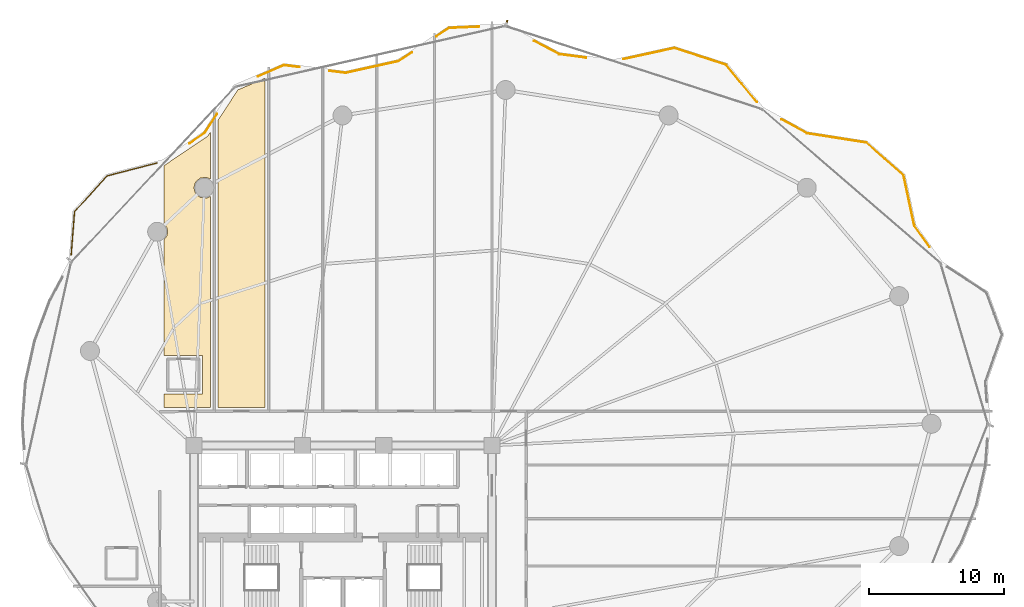
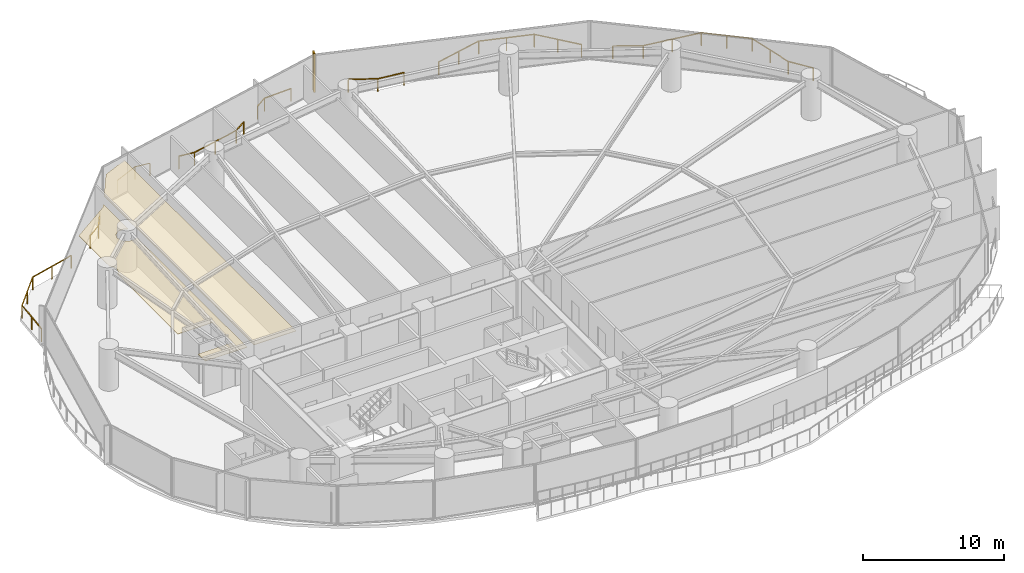
# One storey, part 32 of 33: 8 railings, 2 coverings, 1 shading device.
"""IFC4 building model written with IfcOpenShell, lengths in metres."""

from ifc_helpers import new_model, si_unit, direction, frame, origin, origin_2d, place, context, subcontext, project, spatial, polyline, rectangle, outline, extrude, material, layer, layer_set, type_object, element, save


model = new_model("IFC4")

# Units and contexts
model_context = context("Model", 3, precision=1e-05, world=origin(), true_north=direction((0.0, 1.0)))
body_context = subcontext(model_context, "Body", "Model", "MODEL_VIEW")
ifc_project = project(units=[si_unit("LENGTHUNIT", "METRE"), si_unit("AREAUNIT", "SQUARE_METRE"), si_unit("VOLUMEUNIT", "CUBIC_METRE"), si_unit("PLANEANGLEUNIT", "RADIAN"), si_unit("MASSUNIT", "GRAM", prefix="KILO")], contexts=[model_context])

# Site, building, storey
site_placement = place(None, origin())
site = spatial("IfcSite", under=ifc_project, at=site_placement, CompositionType="ELEMENT")
building_placement = place(site_placement, origin())
building = spatial("IfcBuilding", under=site, at=building_placement, Name="Kazevale Care Tower and Concert Hall", CompositionType="ELEMENT")
storey_placement = place(building_placement, frame((0.0, 0.0, 31.199951171875)))
storey = spatial("IfcBuildingStorey", under=building, at=storey_placement, Name="L07", CompositionType="ELEMENT", Elevation=31.199951171875)

# Coverings
ifc_material_1 = material(Name="Acoustic Plaster and Hinoki Wood", Category="wood")
ifc_layer = layer(ifc_material_1, 0.0400390625)
ifc_layer_set = layer_set([ifc_layer], Name="Acoustic Plaster and Hinoki Wood")
covering_type = type_object("IfcCoveringType", Name="Acoustic Perforated Wood-Gypsum Ceiling", PredefinedType="CEILING", material=ifc_layer_set)
covering_1_placement = place(storey_placement, frame((0.0, 0.0, 2.7099609375)))
element("IfcCovering", 1, at=covering_1_placement, inside=storey, type_object=covering_type, Name="clg:L07:1", PredefinedType="CEILING", context=body_context, shape_type="SweptSolid", body=[
    extrude(outline(polyline([(22.6298828125, 43.054931640625), (19.780029296875, 43.054931640625), (19.780029296875, 51.593994140625), (19.990966796875, 51.882080078125), (20.050048828125, 52.179931640625), (19.990966796875, 52.47802734375), (19.780029296875, 52.76611328125), (19.780029296875, 57.06494140625), (23.014892578125, 59.2509765625), (23.219970703125, 59.56689453125), (23.219970703125, 56.056884765625), (22.912109375, 56.195068359375), (22.4619140625, 56.15087890625), (22.111083984375, 55.863037109375), (21.97998046875, 55.429931640625), (22.111083984375, 54.9970703125), (22.4619140625, 54.708984375), (22.912109375, 54.6650390625), (23.219970703125, 54.802978515625), (23.219970703125, 39.205078125), (19.780029296875, 39.205078125), (19.780029296875, 40.195068359375), (22.6298828125, 40.195068359375), (22.6298828125, 43.054931640625)])), origin(), (0.0, 0.0, 1.0), 0.0400390625),
])
covering_2_placement = place(storey_placement, frame((0.0, 0.0, 2.7099609375)))
element("IfcCovering", 2, at=covering_2_placement, inside=storey, type_object=covering_type, Name="clg:L07:2", PredefinedType="CEILING", context=body_context, shape_type="SweptSolid", body=[
    extrude(outline(polyline([(27.219970703125, 39.205078125), (23.780029296875, 39.205078125), (23.780029296875, 60.427978515625), (25.22607421875, 62.654052734375), (27.219970703125, 63.51611328125), (27.219970703125, 39.205078125)])), origin(), (0.0, 0.0, 1.0), 0.0400390625),
])

# Railings
ifc_material_2 = material(Name="Anodised Bronze Aluminium and Laminated Glass", Category="aluminium")
railing_type = type_object("IfcRailingType", Name="Balcony and Terrace Balustrade 1120", PredefinedType="BALUSTRADE", material=ifc_material_2)
railing_1_placement = place(storey_placement, frame((12.925048828125, 50.48291015625, 0.0)))
element("IfcRailing", 3, at=railing_1_placement, inside=storey, type_object=railing_type, Name="rail:L07:perim:2", PredefinedType="BALUSTRADE", context=body_context, shape_type="SweptSolid", body=[
    extrude(rectangle(XDim=0.048095703125, YDim=0.048095703125, at=origin_2d()), frame((0.0, 0.0, 1.09619140625), z_axis=(0.077457363228, 0.996995665428, 0.0), x_axis=(-0.996995665428, 0.077457363228, 0.0)), (0.0, 0.0, 1.0), 3.189697265625),
    extrude(rectangle(XDim=0.048095703125, YDim=0.048095703125, at=origin_2d()), frame((0.2470703125, 3.18017578125, 1.09619140625), z_axis=(0.67167834736, 0.740842896766, 0.0), x_axis=(-0.740842896766, 0.67167834736, 0.0)), (0.0, 0.0, 1.0), 3.55810546875),
    extrude(rectangle(XDim=0.048095703125, YDim=0.048095703125, at=origin_2d()), frame((2.636962890625, 5.816162109375, 1.09619140625), z_axis=(0.967833691326, 0.251590830384, 0.0), x_axis=(-0.251590830384, 0.967833691326, 0.0)), (0.0, 0.0, 1.0), 3.8271484375),
    extrude(rectangle(XDim=0.0419921875, YDim=0.0419921875, at=origin_2d()), origin(), (0.0, 0.0, 1.0), 1.072021484375),
    extrude(rectangle(XDim=0.0419921875, YDim=0.0419921875, at=origin_2d()), frame((0.12353515625, 1.590087890625, 0.0)), (0.0, 0.0, 1.0), 1.072021484375),
    extrude(rectangle(XDim=0.0419921875, YDim=0.0419921875, at=origin_2d()), frame((0.2470703125, 3.18017578125, 0.0)), (0.0, 0.0, 1.0), 1.072021484375),
    extrude(rectangle(XDim=0.0419921875, YDim=0.0419921875, at=origin_2d()), frame((1.44189453125, 4.498046875, 0.0)), (0.0, 0.0, 1.0), 1.072021484375),
    extrude(rectangle(XDim=0.0419921875, YDim=0.0419921875, at=origin_2d()), frame((2.636962890625, 5.816162109375, 0.0)), (0.0, 0.0, 1.0), 1.072021484375),
    extrude(rectangle(XDim=0.0419921875, YDim=0.0419921875, at=origin_2d()), frame((4.489013671875, 6.297607421875, 0.0)), (0.0, 0.0, 1.0), 1.072021484375),
    extrude(rectangle(XDim=0.0419921875, YDim=0.0419921875, at=origin_2d()), frame((6.341064453125, 6.779052734375, 0.0)), (0.0, 0.0, 1.0), 1.072021484375),
])
railing_2_placement = place(storey_placement, frame((21.65087890625, 58.699951171875, 0.0)))
element("IfcRailing", 4, at=railing_2_placement, inside=storey, type_object=railing_type, Name="rail:L07:perim:3", PredefinedType="BALUSTRADE", context=body_context, shape_type="SweptSolid", body=[
    extrude(rectangle(XDim=0.048095703125, YDim=0.048095703125, at=origin_2d()), frame((0.0, 0.0, 1.09619140625), z_axis=(0.823330292932, 0.56756253289, 0.0), x_axis=(-0.56756253289, 0.823330292932, 0.0)), (0.0, 0.0, 1.0), 1.37255859375),
    extrude(rectangle(XDim=0.048095703125, YDim=0.048095703125, at=origin_2d()), frame((1.130126953125, 0.779052734375, 1.09619140625), z_axis=(0.545340812874, 0.838214410407, 0.0), x_axis=(-0.838214410407, 0.545340812874, 0.0)), (0.0, 0.0, 1.0), 1.6796875),
    extrude(rectangle(XDim=0.0419921875, YDim=0.0419921875, at=origin_2d()), origin(), (0.0, 0.0, 1.0), 1.072021484375),
    extrude(rectangle(XDim=0.0419921875, YDim=0.0419921875, at=origin_2d()), frame((1.130126953125, 0.779052734375, 0.0)), (0.0, 0.0, 1.0), 1.072021484375),
    extrude(rectangle(XDim=0.0419921875, YDim=0.0419921875, at=origin_2d()), frame((2.046142578125, 2.18701171875, 0.0)), (0.0, 0.0, 1.0), 1.072021484375),
])
railing_3_placement = place(storey_placement, frame((26.70703125, 63.64306640625, 0.0)))
element("IfcRailing", 5, at=railing_3_placement, inside=storey, type_object=railing_type, Name="rail:L07:perim:4", PredefinedType="BALUSTRADE", context=body_context, shape_type="SweptSolid", body=[
    extrude(rectangle(XDim=0.048095703125, YDim=0.048095703125, at=origin_2d()), frame((0.0, 0.0, 1.09619140625), z_axis=(0.917761192616, 0.397132715007, 0.0), x_axis=(-0.397132715007, 0.917761192616, 0.0)), (0.0, 0.0, 1.0), 2.107421875),
    extrude(rectangle(XDim=0.048095703125, YDim=0.048095703125, at=origin_2d()), frame((1.93408203125, 0.8369140625, 1.09619140625), z_axis=(0.992136908777, -0.125157317977, 0.0), x_axis=(0.125157317977, 0.992136908777, 0.0)), (0.0, 0.0, 1.0), 1.15087890625),
    extrude(rectangle(XDim=0.0419921875, YDim=0.0419921875, at=origin_2d()), origin(), (0.0, 0.0, 1.0), 1.072021484375),
    extrude(rectangle(XDim=0.0419921875, YDim=0.0419921875, at=origin_2d()), frame((1.93408203125, 0.8369140625, 0.0)), (0.0, 0.0, 1.0), 1.072021484375),
    extrude(rectangle(XDim=0.0419921875, YDim=0.0419921875, at=origin_2d()), frame((3.075927734375, 0.69287109375, 0.0)), (0.0, 0.0, 1.0), 1.072021484375),
])
railing_4_placement = place(storey_placement, frame((32.001953125, 64.05810546875, 0.0)))
element("IfcRailing", 6, at=railing_4_placement, inside=storey, type_object=railing_type, Name="rail:L07:perim:5", PredefinedType="BALUSTRADE", context=body_context, shape_type="SweptSolid", body=[
    extrude(rectangle(XDim=0.048095703125, YDim=0.048095703125, at=origin_2d()), frame((0.0, 0.0, 1.09619140625), z_axis=(0.992119329578, -0.125296591644, 0.0), x_axis=(0.125296591644, 0.992119329578, 0.0)), (0.0, 0.0, 1.0), 1.1904296875),
    extrude(rectangle(XDim=0.048095703125, YDim=0.048095703125, at=origin_2d()), frame((1.18115234375, -0.149169921875, 1.09619140625), z_axis=(0.976178445537, 0.216969220097, 0.0), x_axis=(-0.216969220097, 0.976178445537, 0.0)), (0.0, 0.0, 1.0), 4.001220703125),
    extrude(rectangle(XDim=0.048095703125, YDim=0.048095703125, at=origin_2d()), frame((5.087158203125, 0.718994140625, 1.09619140625), z_axis=(0.835832367502, 0.548984747908, 0.0), x_axis=(-0.548984747908, 0.835832367502, 0.0)), (0.0, 0.0, 1.0), 1.185546875),
    extrude(rectangle(XDim=0.0419921875, YDim=0.0419921875, at=origin_2d()), origin(), (0.0, 0.0, 1.0), 1.072021484375),
    extrude(rectangle(XDim=0.0419921875, YDim=0.0419921875, at=origin_2d()), frame((1.18115234375, -0.149169921875, 0.0)), (0.0, 0.0, 1.0), 1.072021484375),
    extrude(rectangle(XDim=0.0419921875, YDim=0.0419921875, at=origin_2d()), frame((3.13427734375, 0.284912109375, 0.0)), (0.0, 0.0, 1.0), 1.072021484375),
    extrude(rectangle(XDim=0.0419921875, YDim=0.0419921875, at=origin_2d()), frame((5.087158203125, 0.718994140625, 0.0)), (0.0, 0.0, 1.0), 1.072021484375),
    extrude(rectangle(XDim=0.0419921875, YDim=0.0419921875, at=origin_2d()), frame((6.078125, 1.369873046875, 0.0)), (0.0, 0.0, 1.0), 1.072021484375),
])
railing_5_placement = place(storey_placement, frame((39.885986328125, 66.614013671875, 0.0)))
element("IfcRailing", 7, at=railing_5_placement, inside=storey, type_object=railing_type, Name="rail:L07:perim:6", PredefinedType="BALUSTRADE", context=body_context, shape_type="SweptSolid", body=[
    extrude(rectangle(XDim=0.048095703125, YDim=0.048095703125, at=origin_2d()), frame((0.0, 0.0, 1.09619140625), z_axis=(0.835903517622, 0.548876406149, 0.0), x_axis=(-0.548876406149, 0.835903517622, 0.0)), (0.0, 0.0, 1.0), 1.115234375),
    extrude(rectangle(XDim=0.048095703125, YDim=0.048095703125, at=origin_2d()), frame((0.93212890625, 0.612060546875, 1.09619140625), z_axis=(0.999043859493, 0.043719181241, 0.0), x_axis=(-0.043719181241, 0.999043859493, 0.0)), (0.0, 0.0, 1.0), 2.217041015625),
    extrude(rectangle(XDim=0.0419921875, YDim=0.0419921875, at=origin_2d()), origin(), (0.0, 0.0, 1.0), 1.072021484375),
    extrude(rectangle(XDim=0.0419921875, YDim=0.0419921875, at=origin_2d()), frame((0.93212890625, 0.612060546875, 0.0)), (0.0, 0.0, 1.0), 1.072021484375),
    extrude(rectangle(XDim=0.0419921875, YDim=0.0419921875, at=origin_2d()), frame((3.14697265625, 0.708984375, 0.0)), (0.0, 0.0, 1.0), 1.072021484375),
])
railing_6_placement = place(storey_placement, frame((47.115966796875, 66.27001953125, 0.0)))
element("IfcRailing", 8, at=railing_6_placement, inside=storey, type_object=railing_type, Name="rail:L07:perim:7", PredefinedType="BALUSTRADE", context=body_context, shape_type="SweptSolid", body=[
    extrude(rectangle(XDim=0.048095703125, YDim=0.048095703125, at=origin_2d()), frame((0.0, 0.0, 1.09619140625), z_axis=(0.883776562896, -0.467909165198, 0.0), x_axis=(0.467909165198, 0.883776562896, 0.0)), (0.0, 0.0, 1.0), 2.09228515625),
    extrude(rectangle(XDim=0.048095703125, YDim=0.048095703125, at=origin_2d()), frame((1.84912109375, -0.97900390625, 1.09619140625), z_axis=(0.991534086176, -0.129846663223, 0.0), x_axis=(0.129846663223, 0.991534086176, 0.0)), (0.0, 0.0, 1.0), 1.994873046875),
    extrude(rectangle(XDim=0.0419921875, YDim=0.0419921875, at=origin_2d()), origin(), (0.0, 0.0, 1.0), 1.072021484375),
    extrude(rectangle(XDim=0.0419921875, YDim=0.0419921875, at=origin_2d()), frame((1.84912109375, -0.97900390625, 0.0)), (0.0, 0.0, 1.0), 1.072021484375),
    extrude(rectangle(XDim=0.0419921875, YDim=0.0419921875, at=origin_2d()), frame((3.8271484375, -1.238037109375, 0.0)), (0.0, 0.0, 1.0), 1.072021484375),
])
railing_7_placement = place(storey_placement, frame((53.72509765625, 64.929931640625, 0.0)))
element("IfcRailing", 9, at=railing_7_placement, inside=storey, type_object=railing_type, Name="rail:L07:perim:8", PredefinedType="BALUSTRADE", context=body_context, shape_type="SweptSolid", body=[
    extrude(rectangle(XDim=0.048095703125, YDim=0.048095703125, at=origin_2d()), frame((0.0, 0.0, 1.09619140625), z_axis=(0.976904182087, 0.213677839331, 0.0), x_axis=(-0.213677839331, 0.976904182087, 0.0)), (0.0, 0.0, 1.0), 3.82421875),
    extrude(rectangle(XDim=0.048095703125, YDim=0.048095703125, at=origin_2d()), frame((3.73583984375, 0.817138671875, 1.09619140625), z_axis=(0.951224739484, -0.308498776326, 0.0), x_axis=(0.308498776326, 0.951224739484, 0.0)), (0.0, 0.0, 1.0), 4.032958984375),
    extrude(rectangle(XDim=0.048095703125, YDim=0.048095703125, at=origin_2d()), frame((7.572021484375, -0.427001953125, 1.09619140625), z_axis=(0.63401399695, -0.773321570675, 0.0), x_axis=(0.773321570675, 0.63401399695, 0.0)), (0.0, 0.0, 1.0), 3.56103515625),
    extrude(rectangle(XDim=0.0419921875, YDim=0.0419921875, at=origin_2d()), origin(), (0.0, 0.0, 1.0), 1.072021484375),
    extrude(rectangle(XDim=0.0419921875, YDim=0.0419921875, at=origin_2d()), frame((1.867919921875, 0.40869140625, 0.0)), (0.0, 0.0, 1.0), 1.072021484375),
    extrude(rectangle(XDim=0.0419921875, YDim=0.0419921875, at=origin_2d()), frame((3.73583984375, 0.817138671875, 0.0)), (0.0, 0.0, 1.0), 1.072021484375),
    extrude(rectangle(XDim=0.0419921875, YDim=0.0419921875, at=origin_2d()), frame((5.65380859375, 0.195068359375, 0.0)), (0.0, 0.0, 1.0), 1.072021484375),
    extrude(rectangle(XDim=0.0419921875, YDim=0.0419921875, at=origin_2d()), frame((7.572021484375, -0.427001953125, 0.0)), (0.0, 0.0, 1.0), 1.072021484375),
    extrude(rectangle(XDim=0.0419921875, YDim=0.0419921875, at=origin_2d()), frame((8.700927734375, -1.803955078125, 0.0)), (0.0, 0.0, 1.0), 1.072021484375),
    extrude(rectangle(XDim=0.0419921875, YDim=0.0419921875, at=origin_2d()), frame((9.829833984375, -3.180908203125, 0.0)), (0.0, 0.0, 1.0), 1.072021484375),
])
railing_8_placement = place(storey_placement, frame((65.375, 60.48291015625, 0.0)))
element("IfcRailing", 10, at=railing_8_placement, inside=storey, type_object=railing_type, Name="rail:L07:perim:9", PredefinedType="BALUSTRADE", context=body_context, shape_type="SweptSolid", body=[
    extrude(rectangle(XDim=0.048095703125, YDim=0.048095703125, at=origin_2d()), frame((0.0, 0.0, 1.09619140625), z_axis=(0.877408218259, -0.479744534656, 0.0), x_axis=(0.479744534656, 0.877408218259, 0.0)), (0.0, 0.0, 1.0), 2.165283203125),
    extrude(rectangle(XDim=0.048095703125, YDim=0.048095703125, at=origin_2d()), frame((1.89990234375, -1.038818359375, 1.09619140625), z_axis=(0.98800015678, -0.154452873728, 0.0), x_axis=(0.154452873728, 0.98800015678, 0.0)), (0.0, 0.0, 1.0), 4.41015625),
    extrude(rectangle(XDim=0.048095703125, YDim=0.048095703125, at=origin_2d()), frame((6.257080078125, -1.719970703125, 1.09619140625), z_axis=(0.752130585126, -0.65901409918, 0.0), x_axis=(0.65901409918, 0.752130585126, 0.0)), (0.0, 0.0, 1.0), 3.662841796875),
    extrude(rectangle(XDim=0.048095703125, YDim=0.048095703125, at=origin_2d()), frame((9.011962890625, -4.1337890625, 1.09619140625), z_axis=(0.208802033864, -0.977957928877, 0.0), x_axis=(0.977957928877, 0.208802033864, 0.0)), (0.0, 0.0, 1.0), 3.80712890625),
    extrude(rectangle(XDim=0.048095703125, YDim=0.048095703125, at=origin_2d()), frame((9.806884765625, -7.85693359375, 1.09619140625), z_axis=(0.582711263324, -0.812679262437, 0.0), x_axis=(0.812679262437, 0.582711263324, 0.0)), (0.0, 0.0, 1.0), 1.94287109375),
    extrude(rectangle(XDim=0.0419921875, YDim=0.0419921875, at=origin_2d()), origin(), (0.0, 0.0, 1.0), 1.072021484375),
    extrude(rectangle(XDim=0.0419921875, YDim=0.0419921875, at=origin_2d()), frame((1.89990234375, -1.038818359375, 0.0)), (0.0, 0.0, 1.0), 1.072021484375),
    extrude(rectangle(XDim=0.0419921875, YDim=0.0419921875, at=origin_2d()), frame((4.07861328125, -1.37939453125, 0.0)), (0.0, 0.0, 1.0), 1.072021484375),
    extrude(rectangle(XDim=0.0419921875, YDim=0.0419921875, at=origin_2d()), frame((6.257080078125, -1.719970703125, 0.0)), (0.0, 0.0, 1.0), 1.072021484375),
    extrude(rectangle(XDim=0.0419921875, YDim=0.0419921875, at=origin_2d()), frame((7.634521484375, -2.9267578125, 0.0)), (0.0, 0.0, 1.0), 1.072021484375),
    extrude(rectangle(XDim=0.0419921875, YDim=0.0419921875, at=origin_2d()), frame((9.011962890625, -4.1337890625, 0.0)), (0.0, 0.0, 1.0), 1.072021484375),
    extrude(rectangle(XDim=0.0419921875, YDim=0.0419921875, at=origin_2d()), frame((9.409423828125, -5.995361328125, 0.0)), (0.0, 0.0, 1.0), 1.072021484375),
    extrude(rectangle(XDim=0.0419921875, YDim=0.0419921875, at=origin_2d()), frame((9.806884765625, -7.85693359375, 0.0)), (0.0, 0.0, 1.0), 1.072021484375),
    extrude(rectangle(XDim=0.0419921875, YDim=0.0419921875, at=origin_2d()), frame((10.93896484375, -9.435791015625, 0.0)), (0.0, 0.0, 1.0), 1.072021484375),
])

# Shading device
ifc_material_3 = material(Name="Honed Ochre Limestone", Category="masonry")
shading_device_type = type_object("IfcShadingDeviceType", Name="Vertical Honed Limestone Fin FIN-01", PredefinedType="USERDEFINED", material=ifc_material_3)
shading_device_placement = place(storey_placement, frame((45.08203125, 67.618408203125, 0.0), z_axis=(0.0, 0.0, 1.0), x_axis=(0.30785482931, 0.951433341896, 0.0)))
element("IfcShadingDevice", 11, at=shading_device_placement, inside=storey, type_object=shading_device_type, Name="cw:L07:f16:fin", ObjectType="FIN", PredefinedType="USERDEFINED", context=body_context, shape_type="SweptSolid", body=[
    extrude(rectangle(XDim=0.3798828125, YDim=0.1201171875, at=origin_2d()), origin(), (0.0, 0.0, 1.0), 3.360107421875),
])

save(model, "model.ifc")
